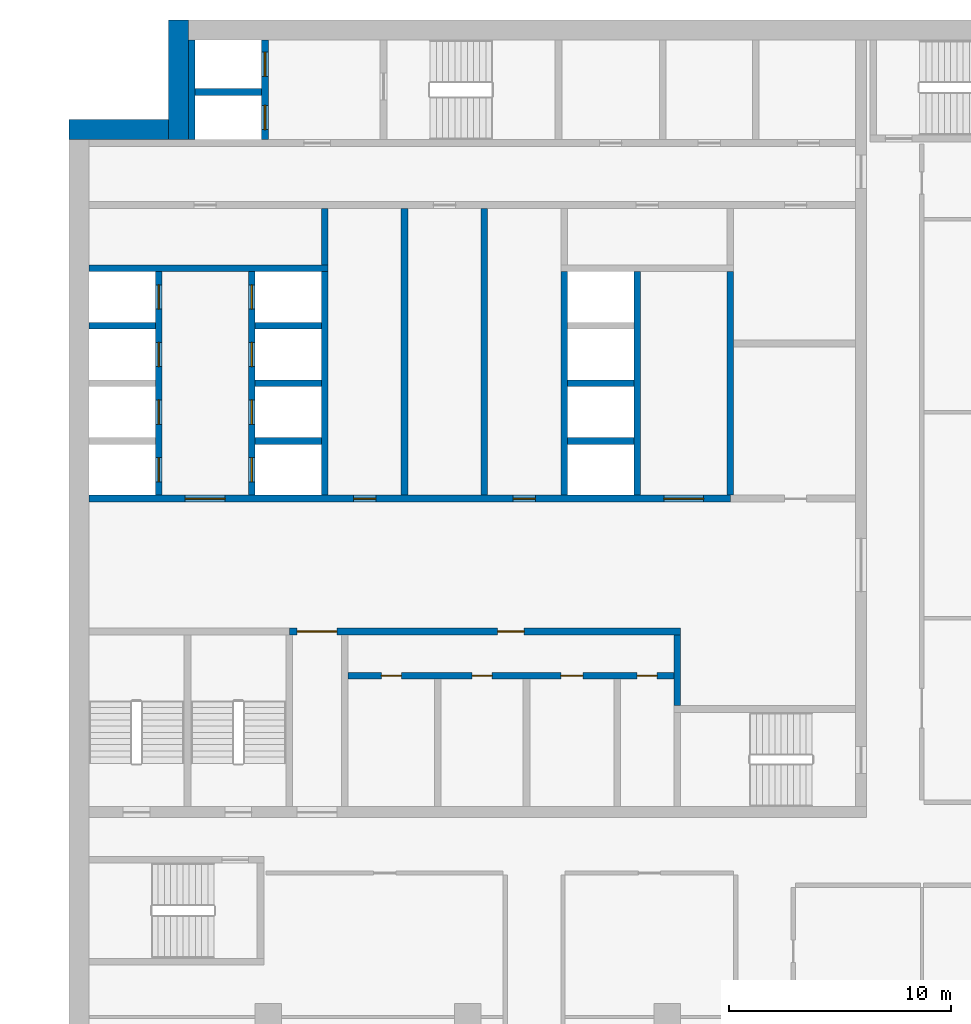
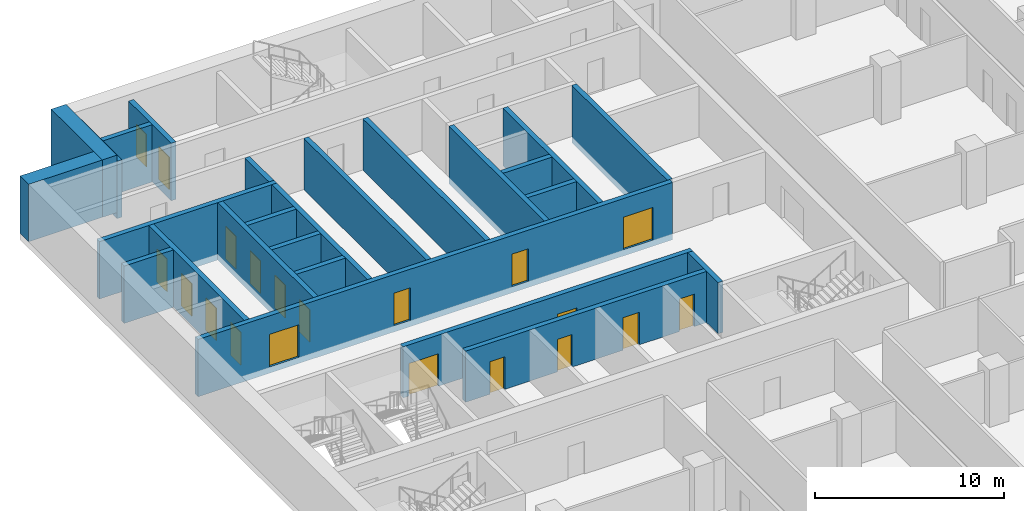
# One storey, part 13 of 23: 25 walls, 20 doors, 20 openings.
"""IFC4 building model written with IfcOpenShell, lengths in metres."""

from ifc_helpers import new_model, si_unit, direction, frame, frame_2d, origin, place, context, subcontext, project, spatial, rectangle, extrude, material, layer, layer_set, type_object, element, fill, save


model = new_model("IFC4")

# Units and contexts
model_context = context("Model", 3, precision=1e-05, world=origin(), true_north=direction((0.0, 1.0)))
body_context = subcontext(model_context, "Body", "Model", "MODEL_VIEW")
ifc_project = project(units=[si_unit("LENGTHUNIT", "METRE"), si_unit("AREAUNIT", "SQUARE_METRE"), si_unit("VOLUMEUNIT", "CUBIC_METRE"), si_unit("PLANEANGLEUNIT", "RADIAN"), si_unit("MASSUNIT", "GRAM", prefix="KILO")], contexts=[model_context])

# Site, building, storey
site_placement = place(None, origin())
site = spatial("IfcSite", under=ifc_project, at=site_placement, CompositionType="ELEMENT")
building_placement = place(site_placement, origin())
building = spatial("IfcBuilding", under=site, at=building_placement, Name="Hunhe Ridgeline Campus", CompositionType="ELEMENT")
storey_placement = place(building_placement, frame((0.0, 0.0, 148.60009765625)))
storey = spatial("IfcBuildingStorey", under=building, at=storey_placement, Name="L37", CompositionType="ELEMENT", Elevation=148.60009765625)

# Wall, openings, doors
ifc_material_1 = material(Name="Masonry concrete blockwork", Category="masonry")
ifc_layer_1 = layer(ifc_material_1, 0.300048828125)
ifc_layer_set_1 = layer_set([ifc_layer_1], Name="Core room partition 300 concrete block")
wall_type_1 = type_object("IfcWallType", Name="Core room partition 300 concrete block", PredefinedType="PARTITIONING", material=ifc_layer_set_1)
wall_1_placement = place(storey_placement, frame((12.60009765625, 69.39990234375, 0.0), z_axis=(0.0, 0.0, 1.0), x_axis=(1.0, 0.0, 0.0)))
wall_1 = element("IfcWall", 1, at=wall_1_placement, inside=storey, type_object=wall_type_1, Name="L37 core partition 9", PredefinedType="PARTITIONING", context=body_context, shape_type="SweptSolid", body=[
    extrude(rectangle(XDim=14.699951171875, YDim=0.300048828125, at=frame_2d((7.35009765625, 0.0))), origin(), (0.0, 0.0, 1.0), 3.2998046875),
])
opening_1_placement = place(wall_1_placement, frame((1.5, 0.0, 0.0)))
opening_1 = element("IfcOpeningElement", 2, at=opening_1_placement, cuts=wall_1, Name="Opening CD8", PredefinedType="OPENING", context=body_context, shape_type="SweptSolid", body=[
    extrude(rectangle(XDim=0.89990234375, YDim=2.10009765625, at=frame_2d((0.449951171875, 1.050048828125))), frame((0.0, 0.14990234375, 0.0), z_axis=(0.0, -1.0, 0.0), x_axis=(1.0, 0.0, 0.0)), (0.0, 0.0, 1.0), 0.300048828125),
])
opening_2_placement = place(wall_1_placement, frame((5.60009765625, 0.0, 0.0)))
opening_2 = element("IfcOpeningElement", 3, at=opening_2_placement, cuts=wall_1, Name="Opening CD9", PredefinedType="OPENING", context=body_context, shape_type="SweptSolid", body=[
    extrude(rectangle(XDim=0.89990234375, YDim=2.10009765625, at=frame_2d((0.449951171875, 1.050048828125))), frame((0.0, 0.14990234375, 0.0), z_axis=(0.0, -1.0, 0.0), x_axis=(1.0, 0.0, 0.0)), (0.0, 0.0, 1.0), 0.300048828125),
])
opening_3_placement = place(wall_1_placement, frame((9.60009765625, 0.0, 0.0)))
opening_3 = element("IfcOpeningElement", 4, at=opening_3_placement, cuts=wall_1, Name="Opening CD10", PredefinedType="OPENING", context=body_context, shape_type="SweptSolid", body=[
    extrude(rectangle(XDim=1.0, YDim=2.10009765625, at=frame_2d((0.5, 1.050048828125))), frame((0.0, 0.14990234375, 0.0), z_axis=(0.0, -1.0, 0.0), x_axis=(1.0, 0.0, 0.0)), (0.0, 0.0, 1.0), 0.300048828125),
])
opening_4_placement = place(wall_1_placement, frame((13.050048828125, 0.0, 0.0)))
opening_4 = element("IfcOpeningElement", 5, at=opening_4_placement, cuts=wall_1, Name="Opening CD11", PredefinedType="OPENING", context=body_context, shape_type="SweptSolid", body=[
    extrude(rectangle(XDim=0.89990234375, YDim=2.10009765625, at=frame_2d((0.449951171875, 1.050048828125))), frame((0.0, 0.14990234375, 0.0), z_axis=(0.0, -1.0, 0.0), x_axis=(1.0, 0.0, 0.0)), (0.0, 0.0, 1.0), 0.300048828125),
])
ifc_material_2 = material(Name="Solid core timber door leaf", Category="wood")
door_type_1 = type_object("IfcDoorType", Name="Timber door 1000x2100", OperationType="SINGLE_SWING_LEFT", PredefinedType="DOOR", material=ifc_material_2)
door_1_placement = place(opening_3_placement, frame((1.0, 0.0, 0.0), z_axis=(0.0, 0.0, 1.0), x_axis=(-1.0, 0.0, 0.0)))
door_1 = element("IfcDoor", 6, at=door_1_placement, inside=storey, type_object=door_type_1, Name="L37 door WC3", OperationType="SINGLE_SWING_RIGHT", OverallHeight=2.10009765625, OverallWidth=1.0, PredefinedType="DOOR", context=body_context, shape_type="SweptSolid", body=[
    extrude(rectangle(XDim=1.0, YDim=2.10009765625, at=frame_2d((0.5, 1.050048828125))), frame((0.0, 0.02490234375, 0.0), z_axis=(0.0, -1.0, 0.0), x_axis=(1.0, 0.0, 0.0)), (0.0, 0.0, 1.0), 0.050048828125),
])
fill(opening_3, door_1)
door_type_2 = type_object("IfcDoorType", Name="Timber door 900x2100", OperationType="SINGLE_SWING_LEFT", PredefinedType="DOOR", material=ifc_material_2)
door_2_placement = place(opening_1_placement, frame((0.89990234375, 0.0, 0.0), z_axis=(0.0, 0.0, 1.0), x_axis=(-1.0, 0.0, 0.0)))
door_2 = element("IfcDoor", 7, at=door_2_placement, inside=storey, type_object=door_type_2, Name="L37 door WC1", OperationType="SINGLE_SWING_RIGHT", OverallHeight=2.10009765625, OverallWidth=0.89990234375, PredefinedType="DOOR", context=body_context, shape_type="SweptSolid", body=[
    extrude(rectangle(XDim=0.89990234375, YDim=2.10009765625, at=frame_2d((0.449951171875, 1.050048828125))), frame((0.0, 0.02490234375, 0.0), z_axis=(0.0, -1.0, 0.0), x_axis=(1.0, 0.0, 0.0)), (0.0, 0.0, 1.0), 0.050048828125),
])
fill(opening_1, door_2)
door_3_placement = place(opening_2_placement, frame((0.89990234375, 0.0, 0.0), z_axis=(0.0, 0.0, 1.0), x_axis=(-1.0, 0.0, 0.0)))
door_3 = element("IfcDoor", 8, at=door_3_placement, inside=storey, type_object=door_type_2, Name="L37 door WC2", OperationType="SINGLE_SWING_LEFT", OverallHeight=2.10009765625, OverallWidth=0.89990234375, PredefinedType="DOOR", context=body_context, shape_type="SweptSolid", body=[
    extrude(rectangle(XDim=0.89990234375, YDim=2.10009765625, at=frame_2d((0.449951171875, 1.050048828125))), frame((0.0, 0.02490234375, 0.0), z_axis=(0.0, -1.0, 0.0), x_axis=(1.0, 0.0, 0.0)), (0.0, 0.0, 1.0), 0.050048828125),
])
fill(opening_2, door_3)
door_4_placement = place(opening_4_placement, frame((0.89990234375, 0.0, 0.0), z_axis=(0.0, 0.0, 1.0), x_axis=(-1.0, 0.0, 0.0)))
door_4 = element("IfcDoor", 9, at=door_4_placement, inside=storey, type_object=door_type_2, Name="L37 door WC4", OperationType="SINGLE_SWING_LEFT", OverallHeight=2.10009765625, OverallWidth=0.89990234375, PredefinedType="DOOR", context=body_context, shape_type="SweptSolid", body=[
    extrude(rectangle(XDim=0.89990234375, YDim=2.10009765625, at=frame_2d((0.449951171875, 1.050048828125))), frame((0.0, 0.02490234375, 0.0), z_axis=(0.0, -1.0, 0.0), x_axis=(1.0, 0.0, 0.0)), (0.0, 0.0, 1.0), 0.050048828125),
])
fill(opening_4, door_4)

wall_2_placement = place(storey_placement, frame((9.949951171875, 71.39990234375, 0.0), z_axis=(0.0, 0.0, 1.0), x_axis=(1.0, 0.0, 0.0)))
wall_2 = element("IfcWall", 10, at=wall_2_placement, inside=storey, type_object=wall_type_1, Name="L37 core partition 11", PredefinedType="PARTITIONING", context=body_context, shape_type="SweptSolid", body=[
    extrude(rectangle(XDim=17.650146484375, YDim=0.300048828125, at=frame_2d((8.8251953125, 0.0))), origin(), (0.0, 0.0, 1.0), 3.2998046875),
])
opening_5_placement = place(wall_2_placement, frame((0.35009765625, 0.0, 0.0)))
opening_5 = element("IfcOpeningElement", 11, at=opening_5_placement, cuts=wall_2, Name="Opening CD7", PredefinedType="OPENING", context=body_context, shape_type="SweptSolid", body=[
    extrude(rectangle(XDim=1.800048828125, YDim=2.10009765625, at=frame_2d((0.89990234375, 1.050048828125))), frame((0.0, 0.14990234375, 0.0), z_axis=(0.0, -1.0, 0.0), x_axis=(1.0, 0.0, 0.0)), (0.0, 0.0, 1.0), 0.300048828125),
])
opening_6_placement = place(wall_2_placement, frame((9.39990234375, 0.0, 0.0)))
opening_6 = element("IfcOpeningElement", 12, at=opening_6_placement, cuts=wall_2, Name="Opening CD12", PredefinedType="OPENING", context=body_context, shape_type="SweptSolid", body=[
    extrude(rectangle(XDim=1.199951171875, YDim=2.10009765625, at=frame_2d((0.60009765625, 1.050048828125))), frame((0.0, 0.14990234375, 0.0), z_axis=(0.0, -1.0, 0.0), x_axis=(1.0, 0.0, 0.0)), (0.0, 0.0, 1.0), 0.300048828125),
])
ifc_material_3 = material(Name="Anodised aluminium and glass", Category="aluminium")
door_type_3 = type_object("IfcDoorType", Name="Glazed double door 1800x2100", OperationType="DOUBLE_DOOR_SINGLE_SWING", PredefinedType="DOOR", material=ifc_material_3)
door_5_placement = place(opening_5_placement, origin())
door_5 = element("IfcDoor", 13, at=door_5_placement, inside=storey, type_object=door_type_3, Name="L37 door VEST-HALL", OperationType="DOUBLE_DOOR_SINGLE_SWING", OverallHeight=2.10009765625, OverallWidth=1.800048828125, PredefinedType="DOOR", context=body_context, shape_type="SweptSolid", body=[
    extrude(rectangle(XDim=1.800048828125, YDim=2.10009765625, at=frame_2d((0.89990234375, 1.050048828125))), frame((0.0, 0.02490234375, 0.0), z_axis=(0.0, -1.0, 0.0), x_axis=(1.0, 0.0, 0.0)), (0.0, 0.0, 1.0), 0.050048828125),
])
fill(opening_5, door_5)
door_type_4 = type_object("IfcDoorType", Name="Timber door 1200x2100", OperationType="SINGLE_SWING_LEFT", PredefinedType="DOOR", material=ifc_material_2)
door_6_placement = place(opening_6_placement, origin())
door_6 = element("IfcDoor", 14, at=door_6_placement, inside=storey, type_object=door_type_4, Name="L37 door WCL2-HALL", OperationType="SINGLE_SWING_LEFT", OverallHeight=2.10009765625, OverallWidth=1.199951171875, PredefinedType="DOOR", context=body_context, shape_type="SweptSolid", body=[
    extrude(rectangle(XDim=1.199951171875, YDim=2.10009765625, at=frame_2d((0.60009765625, 1.050048828125))), frame((0.0, 0.02490234375, 0.0), z_axis=(0.0, -1.0, 0.0), x_axis=(1.0, 0.0, 0.0)), (0.0, 0.0, 1.0), 0.050048828125),
])
fill(opening_6, door_6)

# Walls
wall_3_placement = place(storey_placement, frame((11.550048828125, 87.949951171875, 0.0), z_axis=(0.0, 0.0, 1.0), x_axis=(0.0, 1.0, 0.0)))
element("IfcWall", 15, at=wall_3_placement, inside=storey, type_object=wall_type_1, Name="L37 core partition 40", PredefinedType="PARTITIONING", context=body_context, shape_type="SweptSolid", body=[
    extrude(rectangle(XDim=2.550048828125, YDim=0.300048828125, at=frame_2d((1.27490234375, 0.0))), origin(), (0.0, 0.0, 1.0), 3.2998046875),
])
for number, where, z_axis, x_axis, name in (
    (16, (15.14990234375, 77.550048828125, 0.0), (0.0, 0.0, 1.0), (0.0, 1.0, 0.0), "L37 core partition 43"),
    (17, (18.75, 77.550048828125, 0.0), (0.0, 0.0, 1.0), (0.0, 1.0, 0.0), "L37 core partition 45"),
):
    element("IfcWall", number, at=place(storey_placement, frame(where, z_axis=z_axis, x_axis=x_axis)), inside=storey, type_object=wall_type_1, Name=name, PredefinedType="PARTITIONING", context=body_context, shape_type="SweptSolid", body=[
        extrude(rectangle(XDim=12.949951171875, YDim=0.300048828125, at=frame_2d((6.47509765625, 0.0))), origin(), (0.0, 0.0, 1.0), 3.2998046875),
    ])
wall_4_placement = place(storey_placement, frame((27.449951171875, 68.050048828125, 0.0), z_axis=(0.0, 0.0, 1.0), x_axis=(0.0, 1.0, 0.0)))
element("IfcWall", 18, at=wall_4_placement, inside=storey, type_object=wall_type_1, Name="L37 core partition 56", PredefinedType="PARTITIONING", context=body_context, shape_type="SweptSolid", body=[
    extrude(rectangle(XDim=3.199951171875, YDim=0.300048828125, at=frame_2d((1.60009765625, 0.0))), origin(), (0.0, 0.0, 1.0), 3.2998046875),
])
ifc_material_4 = material(Name="Concrete C70", Category="concrete")
ifc_layer_2 = layer(ifc_material_4, 0.300048828125)
ifc_layer_set_2 = layer_set([ifc_layer_2], Name="Lobby wall 300 reinforced concrete C70")
wall_type_2 = type_object("IfcWallType", Name="Lobby wall 300 reinforced concrete C70", PredefinedType="SOLIDWALL", material=ifc_layer_set_2)
wall_5_placement = place(storey_placement, frame((29.85009765625, 77.550048828125, -0.400146484375), z_axis=(0.0, 0.0, 1.0), x_axis=(0.0, 1.0, 0.0)))
element("IfcWall", 19, at=wall_5_placement, inside=storey, type_object=wall_type_2, Name="L37 core wall 57", PredefinedType="SOLIDWALL", context=body_context, shape_type="SweptSolid", body=[
    extrude(rectangle(XDim=10.099853515625, YDim=0.300048828125, at=frame_2d((5.0498046875, 0.0))), origin(), (0.0, 0.0, 1.0), 3.699951171875),
])

# Wall, openings, doors
ifc_layer_3 = layer(ifc_material_4, 0.300048828125)
ifc_layer_set_3 = layer_set([ifc_layer_3], Name="Shaft wall 300 reinforced concrete C70")
wall_type_3 = type_object("IfcWallType", Name="Shaft wall 300 reinforced concrete C70", PredefinedType="SOLIDWALL", material=ifc_layer_set_3)
wall_6_placement = place(storey_placement, frame((0.89990234375, 77.39990234375, -0.400146484375), z_axis=(0.0, 0.0, 1.0), x_axis=(1.0, 0.0, 0.0)))
wall_6 = element("IfcWall", 20, at=wall_6_placement, inside=storey, type_object=wall_type_3, Name="L37 core wall 12", PredefinedType="SOLIDWALL", context=body_context, shape_type="SweptSolid", body=[
    extrude(rectangle(XDim=28.9501953125, YDim=0.300048828125, at=frame_2d((14.47509765625, 0.0))), origin(), (0.0, 0.0, 1.0), 3.699951171875),
])
opening_7_placement = place(wall_6_placement, frame((4.35009765625, 0.0, 0.39990234375)))
opening_7 = element("IfcOpeningElement", 21, at=opening_7_placement, cuts=wall_6, Name="Opening CD1", PredefinedType="OPENING", context=body_context, shape_type="SweptSolid", body=[
    extrude(rectangle(XDim=1.800048828125, YDim=2.10009765625, at=frame_2d((0.89990234375, 1.050048828125))), frame((0.0, 0.14990234375, 0.0), z_axis=(0.0, -1.0, 0.0), x_axis=(1.0, 0.0, 0.0)), (0.0, 0.0, 1.0), 0.300048828125),
])
opening_8_placement = place(wall_6_placement, frame((25.949951171875, 0.0, 0.39990234375)))
opening_8 = element("IfcOpeningElement", 22, at=opening_8_placement, cuts=wall_6, Name="Opening CD2", PredefinedType="OPENING", context=body_context, shape_type="SweptSolid", body=[
    extrude(rectangle(XDim=1.800048828125, YDim=2.10009765625, at=frame_2d((0.89990234375, 1.050048828125))), frame((0.0, 0.14990234375, 0.0), z_axis=(0.0, -1.0, 0.0), x_axis=(1.0, 0.0, 0.0)), (0.0, 0.0, 1.0), 0.300048828125),
])
opening_9_placement = place(wall_6_placement, frame((11.949951171875, 0.0, 0.39990234375)))
opening_9 = element("IfcOpeningElement", 23, at=opening_9_placement, cuts=wall_6, Name="Opening CD28", PredefinedType="OPENING", context=body_context, shape_type="SweptSolid", body=[
    extrude(rectangle(XDim=1.0, YDim=2.10009765625, at=frame_2d((0.5, 1.050048828125))), frame((0.0, 0.14990234375, 0.0), z_axis=(0.0, -1.0, 0.0), x_axis=(1.0, 0.0, 0.0)), (0.0, 0.0, 1.0), 0.300048828125),
])
opening_10_placement = place(wall_6_placement, frame((19.14990234375, 0.0, 0.39990234375)))
opening_10 = element("IfcOpeningElement", 24, at=opening_10_placement, cuts=wall_6, Name="Opening CD30", PredefinedType="OPENING", context=body_context, shape_type="SweptSolid", body=[
    extrude(rectangle(XDim=1.0, YDim=2.10009765625, at=frame_2d((0.5, 1.050048828125))), frame((0.0, 0.14990234375, 0.0), z_axis=(0.0, -1.0, 0.0), x_axis=(1.0, 0.0, 0.0)), (0.0, 0.0, 1.0), 0.300048828125),
])
ifc_material_5 = material(Name="Hollow metal fire door leaf")
door_type_5 = type_object("IfcDoorType", Name="Lobby door 1800x2100 FD60", OperationType="SINGLE_SWING_LEFT", PredefinedType="DOOR", material=ifc_material_5)
door_7_placement = place(opening_7_placement, frame((1.800048828125, 0.0, 0.0), z_axis=(0.0, 0.0, 1.0), x_axis=(-1.0, 0.0, 0.0)))
door_7 = element("IfcDoor", 25, at=door_7_placement, inside=storey, type_object=door_type_5, Name="L37 door LOB-LR", OperationType="SINGLE_SWING_RIGHT", OverallHeight=2.10009765625, OverallWidth=1.800048828125, PredefinedType="DOOR", context=body_context, shape_type="SweptSolid", body=[
    extrude(rectangle(XDim=1.800048828125, YDim=2.10009765625, at=frame_2d((0.89990234375, 1.050048828125))), frame((0.0, 0.02490234375, 0.0), z_axis=(0.0, -1.0, 0.0), x_axis=(1.0, 0.0, 0.0)), (0.0, 0.0, 1.0), 0.050048828125),
])
fill(opening_7, door_7)
door_8_placement = place(opening_8_placement, frame((1.800048828125, 0.0, 0.0), z_axis=(0.0, 0.0, 1.0), x_axis=(-1.0, 0.0, 0.0)))
door_8 = element("IfcDoor", 26, at=door_8_placement, inside=storey, type_object=door_type_5, Name="L37 door LOB-SH", OperationType="SINGLE_SWING_LEFT", OverallHeight=2.10009765625, OverallWidth=1.800048828125, PredefinedType="DOOR", context=body_context, shape_type="SweptSolid", body=[
    extrude(rectangle(XDim=1.800048828125, YDim=2.10009765625, at=frame_2d((0.89990234375, 1.050048828125))), frame((0.0, 0.02490234375, 0.0), z_axis=(0.0, -1.0, 0.0), x_axis=(1.0, 0.0, 0.0)), (0.0, 0.0, 1.0), 0.050048828125),
])
fill(opening_8, door_8)
door_9_placement = place(opening_9_placement, origin())
door_9 = element("IfcDoor", 27, at=door_9_placement, inside=storey, type_object=door_type_1, Name="L37 door VD-HR0", OperationType="SINGLE_SWING_RIGHT", OverallHeight=2.10009765625, OverallWidth=1.0, PredefinedType="DOOR", context=body_context, shape_type="SweptSolid", body=[
    extrude(rectangle(XDim=1.0, YDim=2.10009765625, at=frame_2d((0.5, 1.050048828125))), frame((0.0, 0.02490234375, 0.0), z_axis=(0.0, -1.0, 0.0), x_axis=(1.0, 0.0, 0.0)), (0.0, 0.0, 1.0), 0.050048828125),
])
fill(opening_9, door_9)
door_10_placement = place(opening_10_placement, origin())
door_10 = element("IfcDoor", 28, at=door_10_placement, inside=storey, type_object=door_type_1, Name="L37 door VD-HR2", OperationType="SINGLE_SWING_RIGHT", OverallHeight=2.10009765625, OverallWidth=1.0, PredefinedType="DOOR", context=body_context, shape_type="SweptSolid", body=[
    extrude(rectangle(XDim=1.0, YDim=2.10009765625, at=frame_2d((0.5, 1.050048828125))), frame((0.0, 0.02490234375, 0.0), z_axis=(0.0, -1.0, 0.0), x_axis=(1.0, 0.0, 0.0)), (0.0, 0.0, 1.0), 0.050048828125),
])
fill(opening_10, door_10)

# Walls
for number, where, z_axis, x_axis, name in (
    (29, (8.39990234375, 80.0, -0.400146484375), (0.0, 0.0, 1.0), (1.0, 0.0, 0.0), "L37 core wall 15"),
    (30, (22.5, 80.0, -0.400146484375), (0.0, 0.0, 1.0), (1.0, 0.0, 0.0), "L37 core wall 16"),
    (31, (8.39990234375, 82.60009765625, -0.400146484375), (0.0, 0.0, 1.0), (1.0, 0.0, 0.0), "L37 core wall 18"),
    (32, (22.5, 82.60009765625, -0.400146484375), (0.0, 0.0, 1.0), (1.0, 0.0, 0.0), "L37 core wall 19"),
    (33, (0.89990234375, 85.199951171875, -0.400146484375), (0.0, 0.0, 1.0), (1.0, 0.0, 0.0), "L37 core wall 21"),
    (34, (8.39990234375, 85.199951171875, -0.400146484375), (0.0, 0.0, 1.0), (1.0, 0.0, 0.0), "L37 core wall 22"),
):
    element("IfcWall", number, at=place(storey_placement, frame(where, z_axis=z_axis, x_axis=x_axis)), inside=storey, type_object=wall_type_3, Name=name, PredefinedType="SOLIDWALL", context=body_context, shape_type="SweptSolid", body=[
        extrude(rectangle(XDim=3.0, YDim=0.300048828125, at=frame_2d((1.5, 0.0))), origin(), (0.0, 0.0, 1.0), 3.699951171875),
    ])
wall_7_placement = place(storey_placement, frame((0.89990234375, 87.800048828125, -0.400146484375), z_axis=(0.0, 0.0, 1.0), x_axis=(1.0, 0.0, 0.0)))
element("IfcWall", 35, at=wall_7_placement, inside=storey, type_object=wall_type_3, Name="L37 core wall 24", PredefinedType="SOLIDWALL", context=body_context, shape_type="SweptSolid", body=[
    extrude(rectangle(XDim=10.800048828125, YDim=0.300048828125, at=frame_2d((5.39990234375, 0.0))), origin(), (0.0, 0.0, 1.0), 3.699951171875),
])
wall_8_placement = place(storey_placement, frame((5.699951171875, 95.75, -0.400146484375), z_axis=(0.0, 0.0, 1.0), x_axis=(1.0, 0.0, 0.0)))
element("IfcWall", 36, at=wall_8_placement, inside=storey, type_object=wall_type_3, Name="L37 core wall 30", PredefinedType="SOLIDWALL", context=body_context, shape_type="SweptSolid", body=[
    extrude(rectangle(XDim=3.0, YDim=0.300048828125, at=frame_2d((1.5, 0.0))), origin(), (0.0, 0.0, 1.0), 3.699951171875),
])

# Wall, openings, doors
wall_9_placement = place(storey_placement, frame((4.050048828125, 77.550048828125, -0.400146484375), z_axis=(0.0, 0.0, 1.0), x_axis=(0.0, 1.0, 0.0)))
wall_9 = element("IfcWall", 37, at=wall_9_placement, inside=storey, type_object=wall_type_3, Name="L37 core wall 31", PredefinedType="SOLIDWALL", context=body_context, shape_type="SweptSolid", body=[
    extrude(rectangle(XDim=10.099853515625, YDim=0.300048828125, at=frame_2d((5.0498046875, 0.0))), origin(), (0.0, 0.0, 1.0), 3.699951171875),
])
opening_11_placement = place(wall_9_placement, frame((0.60009765625, 0.0, 0.39990234375)))
opening_11 = element("IfcOpeningElement", 38, at=opening_11_placement, cuts=wall_9, Name="Opening LD-LR1", PredefinedType="OPENING", context=body_context, shape_type="SweptSolid", body=[
    extrude(rectangle(XDim=1.10009765625, YDim=2.10009765625, at=frame_2d((0.550048828125, 1.050048828125))), frame((0.0, 0.14990234375, 0.0), z_axis=(0.0, -1.0, 0.0), x_axis=(1.0, 0.0, 0.0)), (0.0, 0.0, 1.0), 0.300048828125),
])
opening_12_placement = place(wall_9_placement, frame((3.199951171875, 0.0, 0.39990234375)))
opening_12 = element("IfcOpeningElement", 39, at=opening_12_placement, cuts=wall_9, Name="Opening LD-LR2", PredefinedType="OPENING", context=body_context, shape_type="SweptSolid", body=[
    extrude(rectangle(XDim=1.10009765625, YDim=2.10009765625, at=frame_2d((0.550048828125, 1.050048828125))), frame((0.0, 0.14990234375, 0.0), z_axis=(0.0, -1.0, 0.0), x_axis=(1.0, 0.0, 0.0)), (0.0, 0.0, 1.0), 0.300048828125),
])
opening_13_placement = place(wall_9_placement, frame((5.800048828125, 0.0, 0.39990234375)))
opening_13 = element("IfcOpeningElement", 40, at=opening_13_placement, cuts=wall_9, Name="Opening LD-LR3", PredefinedType="OPENING", context=body_context, shape_type="SweptSolid", body=[
    extrude(rectangle(XDim=1.10009765625, YDim=2.10009765625, at=frame_2d((0.550048828125, 1.050048828125))), frame((0.0, 0.14990234375, 0.0), z_axis=(0.0, -1.0, 0.0), x_axis=(1.0, 0.0, 0.0)), (0.0, 0.0, 1.0), 0.300048828125),
])
opening_14_placement = place(wall_9_placement, frame((8.39990234375, 0.0, 0.39990234375)))
opening_14 = element("IfcOpeningElement", 41, at=opening_14_placement, cuts=wall_9, Name="Opening LD-LR4", PredefinedType="OPENING", context=body_context, shape_type="SweptSolid", body=[
    extrude(rectangle(XDim=1.10009765625, YDim=2.10009765625, at=frame_2d((0.550048828125, 1.050048828125))), frame((0.0, 0.14990234375, 0.0), z_axis=(0.0, -1.0, 0.0), x_axis=(1.0, 0.0, 0.0)), (0.0, 0.0, 1.0), 0.300048828125),
])
ifc_material_6 = material(Name="Stainless steel sliding leaves", Category="steel")
door_type_6 = type_object("IfcDoorType", Name="Landing door 1100x2100 FD120", OperationType="SLIDING_TO_LEFT", PredefinedType="DOOR", material=ifc_material_6)
door_11_placement = place(opening_11_placement, origin())
door_11 = element("IfcDoor", 42, at=door_11_placement, inside=storey, type_object=door_type_6, Name="L37 landing door LR1", OperationType="SLIDING_TO_RIGHT", OverallHeight=2.10009765625, OverallWidth=1.10009765625, PredefinedType="DOOR", context=body_context, shape_type="SweptSolid", body=[
    extrude(rectangle(XDim=1.10009765625, YDim=2.10009765625, at=frame_2d((0.550048828125, 1.050048828125))), frame((0.0, 0.02490234375, 0.0), z_axis=(0.0, -1.0, 0.0), x_axis=(1.0, 0.0, 0.0)), (0.0, 0.0, 1.0), 0.050048828125),
])
fill(opening_11, door_11)
door_12_placement = place(opening_12_placement, origin())
door_12 = element("IfcDoor", 43, at=door_12_placement, inside=storey, type_object=door_type_6, Name="L37 landing door LR2", OperationType="SLIDING_TO_LEFT", OverallHeight=2.10009765625, OverallWidth=1.10009765625, PredefinedType="DOOR", context=body_context, shape_type="SweptSolid", body=[
    extrude(rectangle(XDim=1.10009765625, YDim=2.10009765625, at=frame_2d((0.550048828125, 1.050048828125))), frame((0.0, 0.02490234375, 0.0), z_axis=(0.0, -1.0, 0.0), x_axis=(1.0, 0.0, 0.0)), (0.0, 0.0, 1.0), 0.050048828125),
])
fill(opening_12, door_12)
door_13_placement = place(opening_13_placement, origin())
door_13 = element("IfcDoor", 44, at=door_13_placement, inside=storey, type_object=door_type_6, Name="L37 landing door LR3", OperationType="SLIDING_TO_RIGHT", OverallHeight=2.10009765625, OverallWidth=1.10009765625, PredefinedType="DOOR", context=body_context, shape_type="SweptSolid", body=[
    extrude(rectangle(XDim=1.10009765625, YDim=2.10009765625, at=frame_2d((0.550048828125, 1.050048828125))), frame((0.0, 0.02490234375, 0.0), z_axis=(0.0, -1.0, 0.0), x_axis=(1.0, 0.0, 0.0)), (0.0, 0.0, 1.0), 0.050048828125),
])
fill(opening_13, door_13)
door_14_placement = place(opening_14_placement, origin())
door_14 = element("IfcDoor", 45, at=door_14_placement, inside=storey, type_object=door_type_6, Name="L37 landing door LR4", OperationType="SLIDING_TO_LEFT", OverallHeight=2.10009765625, OverallWidth=1.10009765625, PredefinedType="DOOR", context=body_context, shape_type="SweptSolid", body=[
    extrude(rectangle(XDim=1.10009765625, YDim=2.10009765625, at=frame_2d((0.550048828125, 1.050048828125))), frame((0.0, 0.02490234375, 0.0), z_axis=(0.0, -1.0, 0.0), x_axis=(1.0, 0.0, 0.0)), (0.0, 0.0, 1.0), 0.050048828125),
])
fill(opening_14, door_14)

# Wall
wall_10_placement = place(storey_placement, frame((5.550048828125, 93.60009765625, -0.400146484375), z_axis=(0.0, 0.0, 1.0), x_axis=(0.0, 1.0, 0.0)))
element("IfcWall", 46, at=wall_10_placement, inside=storey, type_object=wall_type_3, Name="L37 core wall 33", PredefinedType="SOLIDWALL", context=body_context, shape_type="SweptSolid", body=[
    extrude(rectangle(XDim=4.5, YDim=0.300048828125, at=frame_2d((2.25, 0.0))), origin(), (0.0, 0.0, 1.0), 3.699951171875),
])

# Wall, openings, doors
wall_11_placement = place(storey_placement, frame((8.25, 77.550048828125, -0.400146484375), z_axis=(0.0, 0.0, 1.0), x_axis=(0.0, 1.0, 0.0)))
wall_11 = element("IfcWall", 47, at=wall_11_placement, inside=storey, type_object=wall_type_3, Name="L37 core wall 34", PredefinedType="SOLIDWALL", context=body_context, shape_type="SweptSolid", body=[
    extrude(rectangle(XDim=10.099853515625, YDim=0.300048828125, at=frame_2d((5.0498046875, 0.0))), origin(), (0.0, 0.0, 1.0), 3.699951171875),
])
opening_15_placement = place(wall_11_placement, frame((0.60009765625, 0.0, 0.39990234375)))
opening_15 = element("IfcOpeningElement", 48, at=opening_15_placement, cuts=wall_11, Name="Opening LD-LR5", PredefinedType="OPENING", context=body_context, shape_type="SweptSolid", body=[
    extrude(rectangle(XDim=1.10009765625, YDim=2.10009765625, at=frame_2d((0.550048828125, 1.050048828125))), frame((0.0, 0.14990234375, 0.0), z_axis=(0.0, -1.0, 0.0), x_axis=(1.0, 0.0, 0.0)), (0.0, 0.0, 1.0), 0.300048828125),
])
opening_16_placement = place(wall_11_placement, frame((3.199951171875, 0.0, 0.39990234375)))
opening_16 = element("IfcOpeningElement", 49, at=opening_16_placement, cuts=wall_11, Name="Opening LD-LR6", PredefinedType="OPENING", context=body_context, shape_type="SweptSolid", body=[
    extrude(rectangle(XDim=1.10009765625, YDim=2.10009765625, at=frame_2d((0.550048828125, 1.050048828125))), frame((0.0, 0.14990234375, 0.0), z_axis=(0.0, -1.0, 0.0), x_axis=(1.0, 0.0, 0.0)), (0.0, 0.0, 1.0), 0.300048828125),
])
opening_17_placement = place(wall_11_placement, frame((5.800048828125, 0.0, 0.39990234375)))
opening_17 = element("IfcOpeningElement", 50, at=opening_17_placement, cuts=wall_11, Name="Opening LD-LR7", PredefinedType="OPENING", context=body_context, shape_type="SweptSolid", body=[
    extrude(rectangle(XDim=1.10009765625, YDim=2.10009765625, at=frame_2d((0.550048828125, 1.050048828125))), frame((0.0, 0.14990234375, 0.0), z_axis=(0.0, -1.0, 0.0), x_axis=(1.0, 0.0, 0.0)), (0.0, 0.0, 1.0), 0.300048828125),
])
opening_18_placement = place(wall_11_placement, frame((8.39990234375, 0.0, 0.39990234375)))
opening_18 = element("IfcOpeningElement", 51, at=opening_18_placement, cuts=wall_11, Name="Opening LD-LR8", PredefinedType="OPENING", context=body_context, shape_type="SweptSolid", body=[
    extrude(rectangle(XDim=1.10009765625, YDim=2.10009765625, at=frame_2d((0.550048828125, 1.050048828125))), frame((0.0, 0.14990234375, 0.0), z_axis=(0.0, -1.0, 0.0), x_axis=(1.0, 0.0, 0.0)), (0.0, 0.0, 1.0), 0.300048828125),
])
door_15_placement = place(opening_15_placement, origin())
door_15 = element("IfcDoor", 52, at=door_15_placement, inside=storey, type_object=door_type_6, Name="L37 landing door LR5", OperationType="SLIDING_TO_RIGHT", OverallHeight=2.10009765625, OverallWidth=1.10009765625, PredefinedType="DOOR", context=body_context, shape_type="SweptSolid", body=[
    extrude(rectangle(XDim=1.10009765625, YDim=2.10009765625, at=frame_2d((0.550048828125, 1.050048828125))), frame((0.0, 0.02490234375, 0.0), z_axis=(0.0, -1.0, 0.0), x_axis=(1.0, 0.0, 0.0)), (0.0, 0.0, 1.0), 0.050048828125),
])
fill(opening_15, door_15)
door_16_placement = place(opening_16_placement, origin())
door_16 = element("IfcDoor", 53, at=door_16_placement, inside=storey, type_object=door_type_6, Name="L37 landing door LR6", OperationType="SLIDING_TO_LEFT", OverallHeight=2.10009765625, OverallWidth=1.10009765625, PredefinedType="DOOR", context=body_context, shape_type="SweptSolid", body=[
    extrude(rectangle(XDim=1.10009765625, YDim=2.10009765625, at=frame_2d((0.550048828125, 1.050048828125))), frame((0.0, 0.02490234375, 0.0), z_axis=(0.0, -1.0, 0.0), x_axis=(1.0, 0.0, 0.0)), (0.0, 0.0, 1.0), 0.050048828125),
])
fill(opening_16, door_16)
door_17_placement = place(opening_17_placement, origin())
door_17 = element("IfcDoor", 54, at=door_17_placement, inside=storey, type_object=door_type_6, Name="L37 landing door LR7", OperationType="SLIDING_TO_RIGHT", OverallHeight=2.10009765625, OverallWidth=1.10009765625, PredefinedType="DOOR", context=body_context, shape_type="SweptSolid", body=[
    extrude(rectangle(XDim=1.10009765625, YDim=2.10009765625, at=frame_2d((0.550048828125, 1.050048828125))), frame((0.0, 0.02490234375, 0.0), z_axis=(0.0, -1.0, 0.0), x_axis=(1.0, 0.0, 0.0)), (0.0, 0.0, 1.0), 0.050048828125),
])
fill(opening_17, door_17)
door_18_placement = place(opening_18_placement, origin())
door_18 = element("IfcDoor", 55, at=door_18_placement, inside=storey, type_object=door_type_6, Name="L37 landing door LR8", OperationType="SLIDING_TO_LEFT", OverallHeight=2.10009765625, OverallWidth=1.10009765625, PredefinedType="DOOR", context=body_context, shape_type="SweptSolid", body=[
    extrude(rectangle(XDim=1.10009765625, YDim=2.10009765625, at=frame_2d((0.550048828125, 1.050048828125))), frame((0.0, 0.02490234375, 0.0), z_axis=(0.0, -1.0, 0.0), x_axis=(1.0, 0.0, 0.0)), (0.0, 0.0, 1.0), 0.050048828125),
])
fill(opening_18, door_18)

wall_12_placement = place(storey_placement, frame((8.85009765625, 93.60009765625, -0.400146484375), z_axis=(0.0, 0.0, 1.0), x_axis=(0.0, 1.0, 0.0)))
wall_12 = element("IfcWall", 56, at=wall_12_placement, inside=storey, type_object=wall_type_3, Name="L37 core wall 37", PredefinedType="SOLIDWALL", context=body_context, shape_type="SweptSolid", body=[
    extrude(rectangle(XDim=4.5, YDim=0.300048828125, at=frame_2d((2.25, 0.0))), origin(), (0.0, 0.0, 1.0), 3.699951171875),
])
opening_19_placement = place(wall_12_placement, frame((0.449951171875, 0.0, 0.39990234375)))
opening_19 = element("IfcOpeningElement", 57, at=opening_19_placement, cuts=wall_12, Name="Opening LD-FF1", PredefinedType="OPENING", context=body_context, shape_type="SweptSolid", body=[
    extrude(rectangle(XDim=1.10009765625, YDim=2.10009765625, at=frame_2d((0.550048828125, 1.050048828125))), frame((0.0, 0.14990234375, 0.0), z_axis=(0.0, -1.0, 0.0), x_axis=(1.0, 0.0, 0.0)), (0.0, 0.0, 1.0), 0.300048828125),
])
opening_20_placement = place(wall_12_placement, frame((2.85009765625, 0.0, 0.39990234375)))
opening_20 = element("IfcOpeningElement", 58, at=opening_20_placement, cuts=wall_12, Name="Opening LD-FF2", PredefinedType="OPENING", context=body_context, shape_type="SweptSolid", body=[
    extrude(rectangle(XDim=1.10009765625, YDim=2.10009765625, at=frame_2d((0.550048828125, 1.050048828125))), frame((0.0, 0.14990234375, 0.0), z_axis=(0.0, -1.0, 0.0), x_axis=(1.0, 0.0, 0.0)), (0.0, 0.0, 1.0), 0.300048828125),
])
door_19_placement = place(opening_19_placement, origin())
door_19 = element("IfcDoor", 59, at=door_19_placement, inside=storey, type_object=door_type_6, Name="L37 landing door FF1", OperationType="SLIDING_TO_RIGHT", OverallHeight=2.10009765625, OverallWidth=1.10009765625, PredefinedType="DOOR", context=body_context, shape_type="SweptSolid", body=[
    extrude(rectangle(XDim=1.10009765625, YDim=2.10009765625, at=frame_2d((0.550048828125, 1.050048828125))), frame((0.0, 0.02490234375, 0.0), z_axis=(0.0, -1.0, 0.0), x_axis=(1.0, 0.0, 0.0)), (0.0, 0.0, 1.0), 0.050048828125),
])
fill(opening_19, door_19)
door_20_placement = place(opening_20_placement, origin())
door_20 = element("IfcDoor", 60, at=door_20_placement, inside=storey, type_object=door_type_6, Name="L37 landing door FF2", OperationType="SLIDING_TO_LEFT", OverallHeight=2.10009765625, OverallWidth=1.10009765625, PredefinedType="DOOR", context=body_context, shape_type="SweptSolid", body=[
    extrude(rectangle(XDim=1.10009765625, YDim=2.10009765625, at=frame_2d((0.550048828125, 1.050048828125))), frame((0.0, 0.02490234375, 0.0), z_axis=(0.0, -1.0, 0.0), x_axis=(1.0, 0.0, 0.0)), (0.0, 0.0, 1.0), 0.050048828125),
])
fill(opening_20, door_20)

# Walls
for number, where, z_axis, x_axis, name in (
    (61, (11.550048828125, 77.550048828125, -0.400146484375), (0.0, 0.0, 1.0), (0.0, 1.0, 0.0), "L37 core wall 39"),
    (62, (22.35009765625, 77.550048828125, -0.400146484375), (0.0, 0.0, 1.0), (0.0, 1.0, 0.0), "L37 core wall 49"),
    (63, (25.64990234375, 77.550048828125, -0.400146484375), (0.0, 0.0, 1.0), (0.0, 1.0, 0.0), "L37 core wall 53"),
):
    element("IfcWall", number, at=place(storey_placement, frame(where, z_axis=z_axis, x_axis=x_axis)), inside=storey, type_object=wall_type_3, Name=name, PredefinedType="SOLIDWALL", context=body_context, shape_type="SweptSolid", body=[
        extrude(rectangle(XDim=10.099853515625, YDim=0.300048828125, at=frame_2d((5.0498046875, 0.0))), origin(), (0.0, 0.0, 1.0), 3.699951171875),
    ])
ifc_layer_4 = layer(ifc_material_4, 0.89990234375)
ifc_layer_set_4 = layer_set([ifc_layer_4], Name="Spine wall 900 Concrete C70")
wall_type_4 = type_object("IfcWallType", Name="Spine wall 900 Concrete C70", PredefinedType="SHEAR", material=ifc_layer_set_4)
for number, where, z_axis, x_axis, name in (
    (64, (4.949951171875, 99.0, 0.0), (0.0, 0.0, 1.0), (0.0, -1.0, 0.0), "Spine wall SW2-5 L37"),
    (65, (5.400146484375, 94.050048828125, 0.0), (0.0, 0.0, 1.0), (-1.0, 0.0, 0.0), "Spine wall SW2-6 L37"),
):
    element("IfcWall", number, at=place(storey_placement, frame(where, z_axis=z_axis, x_axis=x_axis)), inside=storey, type_object=wall_type_4, Name=name, PredefinedType="SHEAR", context=body_context, shape_type="SweptSolid", body=[
        extrude(rectangle(XDim=5.400146484375, YDim=0.89990234375, at=frame_2d((2.7001953125, 0.0))), origin(), (0.0, 0.0, 1.0), 3.699951171875),
    ])

save(model, "model.ifc")
